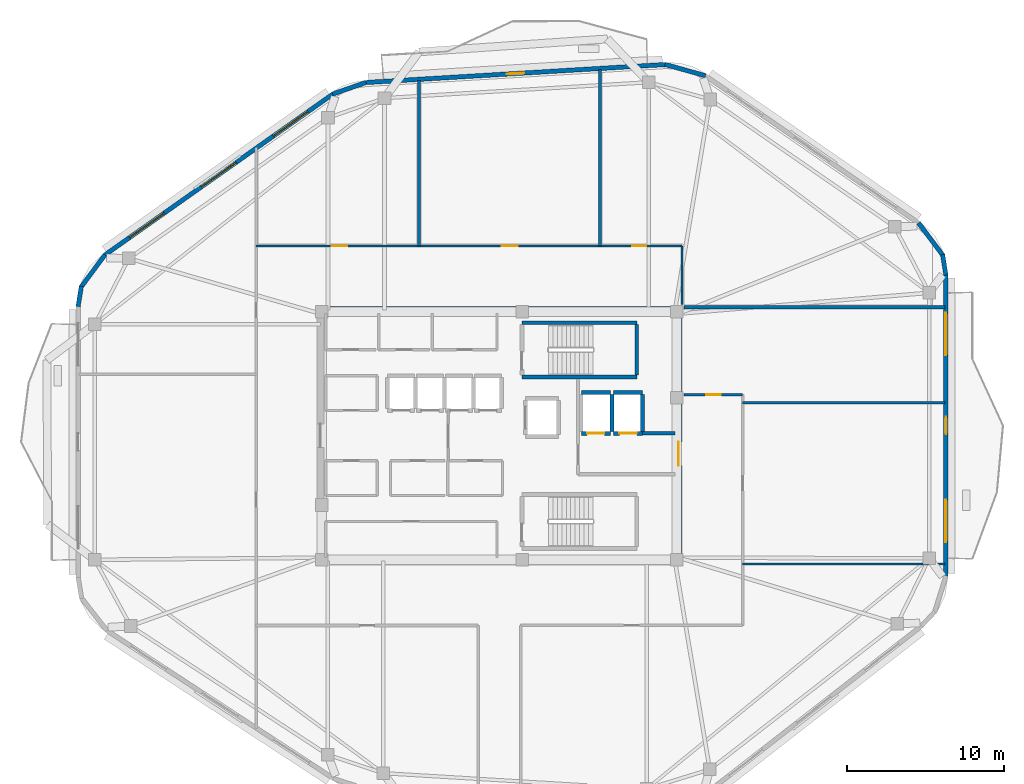
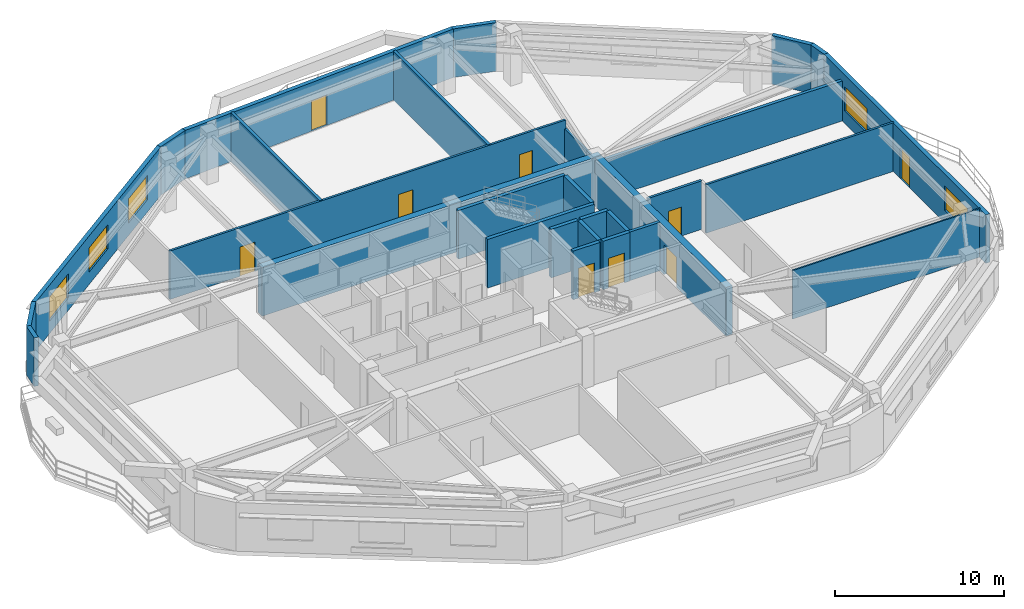
# One storey, part 5 of 9: 29 walls, 9 doors, 5 windows, 14 openings.
"""IFC4 building model written with IfcOpenShell, lengths in metres."""

from ifc_helpers import new_model, si_unit, direction, frame, frame_2d, origin, place, context, subcontext, project, spatial, rectangle, extrude, material, layer, layer_set, type_object, element, fill, save


model = new_model("IFC4")

# Units and contexts
model_context = context("Model", 3, precision=1e-05, world=origin(), true_north=direction((0.0, 1.0)))
body_context = subcontext(model_context, "Body", "Model", "MODEL_VIEW")
ifc_project = project(units=[si_unit("LENGTHUNIT", "METRE"), si_unit("AREAUNIT", "SQUARE_METRE"), si_unit("VOLUMEUNIT", "CUBIC_METRE"), si_unit("PLANEANGLEUNIT", "RADIAN"), si_unit("MASSUNIT", "GRAM", prefix="KILO")], contexts=[model_context])

# Site, building, storey
site_placement = place(None, origin())
site = spatial("IfcSite", under=ifc_project, at=site_placement, CompositionType="ELEMENT")
building_placement = place(site_placement, origin())
building = spatial("IfcBuilding", under=site, at=building_placement, Name="Zulverin Broadcast Headquarters", CompositionType="ELEMENT")
storey_placement = place(building_placement, frame((0.0, 0.0, 266.800048828125)))
storey = spatial("IfcBuildingStorey", under=building, at=storey_placement, Name="L68", CompositionType="ELEMENT", Elevation=266.800048828125)

# Walls
ifc_material_1 = material(Name="Acoustic drywall steel stud", Category="steel")
ifc_layer_1 = layer(ifc_material_1, 0.199951171875, Name="Acoustic drywall steel stud", Category="steel")
ifc_layer_set_1 = layer_set([ifc_layer_1], Name="Acoustic drywall steel stud")
wall_type_1 = type_object("IfcWallType", Name="WL-ACOU-200", PredefinedType="PARTITIONING", material=ifc_layer_set_1)
wall_1_placement = place(storey_placement, frame((43.39990234375, 37.25, 0.0), z_axis=(0.0, 0.0, 1.0), x_axis=(0.0, 1.0, 0.0)))
element("IfcWall", 1, at=wall_1_placement, inside=storey, type_object=wall_type_1, Name="L68 Room Partition Wall RP-03", PredefinedType="PARTITIONING", context=body_context, shape_type="SweptSolid", body=[
    extrude(rectangle(XDim=11.210693359375, YDim=0.199951171875, at=frame_2d((5.60546875, 0.0))), origin(), (0.0, 0.0, 1.0), 3.510009765625),
])
wall_2_placement = place(storey_placement, frame((31.89990234375, 37.25, 0.0), z_axis=(0.0, 0.0, 1.0), x_axis=(0.0, 1.0, 0.0)))
element("IfcWall", 2, at=wall_2_placement, inside=storey, type_object=wall_type_1, Name="L68 Room Partition Wall RP-06", PredefinedType="PARTITIONING", context=body_context, shape_type="SweptSolid", body=[
    extrude(rectangle(XDim=10.520263671875, YDim=0.199951171875, at=frame_2d((5.26025390625, 0.0))), origin(), (0.0, 0.0, 1.0), 3.510009765625),
])
ifc_material_2 = material(Name="Double-stud acoustic drywall", Category="gypsum")
ifc_layer_2 = layer(ifc_material_2, 0.219970703125, Name="Double-stud acoustic drywall", Category="gypsum")
ifc_layer_set_2 = layer_set([ifc_layer_2], Name="Double-stud acoustic drywall")
wall_type_2 = type_object("IfcWallType", Name="WL-ACOU-220", PredefinedType="PARTITIONING", material=ifc_layer_set_2)
wall_3_placement = place(storey_placement, frame((48.739990234375, 33.35009765625, 0.0), z_axis=(0.0, 0.0, 1.0), x_axis=(1.0, 0.0, 0.0)))
element("IfcWall", 3, at=wall_3_placement, inside=storey, type_object=wall_type_2, Name="L68 Room Partition Wall RP-14", PredefinedType="PARTITIONING", context=body_context, shape_type="SweptSolid", body=[
    extrude(rectangle(XDim=16.554931640625, YDim=0.219970703125, at=frame_2d((8.27734375, 0.0))), origin(), (0.0, 0.0, 1.0), 2.892822265625),
])
ifc_material_3 = material(Name="Concrete C50/60", Category="concrete")
ifc_layer_3 = layer(ifc_material_3, 0.449951171875, Name="Concrete C50/60", Category="concrete")
ifc_layer_set_3 = layer_set([ifc_layer_3], Name="Concrete C50/60")
wall_type_3 = type_object("IfcWallType", Name="WL-CORE-450", PredefinedType="SHEAR", material=ifc_layer_set_3)
wall_4_placement = place(storey_placement, frame((25.39990234375, 33.175048828125, 0.0), z_axis=(0.0, 0.0, 1.0), x_axis=(1.0, 0.0, 0.0)))
element("IfcWall", 4, at=wall_4_placement, inside=storey, type_object=wall_type_3, Name="L68 Core North Shear Wall", PredefinedType="SHEAR", context=body_context, shape_type="SweptSolid", body=[
    extrude(rectangle(XDim=23.2001953125, YDim=0.449951171875, at=frame_2d((11.60009765625, 0.0))), origin(), (0.0, 0.0, 1.0), 3.510009765625),
])

# Wall, opening, door
wall_5_placement = place(storey_placement, frame((48.375, 17.449951171875, 0.0), z_axis=(0.0, 0.0, 1.0), x_axis=(0.0, 1.0, 0.0)))
wall_5 = element("IfcWall", 5, at=wall_5_placement, inside=storey, type_object=wall_type_3, Name="L68 Core East Shear Wall", PredefinedType="SHEAR", context=body_context, shape_type="SweptSolid", body=[
    extrude(rectangle(XDim=15.5, YDim=0.449951171875, at=frame_2d((7.75, 0.0))), origin(), (0.0, 0.0, 1.0), 3.510009765625),
])
opening_1_placement = place(wall_5_placement, frame((5.85009765625, 0.0, 0.0)))
opening_1 = element("IfcOpeningElement", 6, at=opening_1_placement, cuts=wall_5, Name="Opening D-L68-CE1", PredefinedType="OPENING", context=body_context, shape_type="SweptSolid", body=[
    extrude(rectangle(XDim=1.5, YDim=2.14990234375, at=frame_2d((0.75, 1.074951171875))), frame((0.0, 0.23486328125, 0.0), z_axis=(0.0, -1.0, 0.0), x_axis=(1.0, 0.0, 0.0)), (0.0, 0.0, 1.0), 0.469970703125),
])
ifc_material_4 = material(Name="Fire-rated glazed steel frame", Category="steel")
door_type_1 = type_object("IfcDoorType", Name="DR-COR-1500", OperationType="DOUBLE_DOOR_SINGLE_SWING", PredefinedType="DOOR", material=ifc_material_4)
door_1_placement = place(opening_1_placement, origin())
door_1 = element("IfcDoor", 7, at=door_1_placement, inside=storey, type_object=door_type_1, Name="L68 Firefighting Lobby East Corridor Door", OperationType="DOUBLE_DOOR_SINGLE_SWING", OverallHeight=2.14990234375, OverallWidth=1.5, PredefinedType="DOOR", context=body_context, shape_type="SweptSolid", body=[
    extrude(rectangle(XDim=1.5, YDim=2.14990234375, at=frame_2d((0.75, 1.074951171875))), frame((0.0, 0.02490234375, 0.0), z_axis=(0.0, -1.0, 0.0), x_axis=(1.0, 0.0, 0.0)), (0.0, 0.0, 1.0), 0.050048828125),
])
fill(opening_1, door_1)

# Wall, openings, door, windows
ifc_material_5 = material(Name="Insulated pale-metal clad concrete spandrel C40/50", Category="concrete")
ifc_layer_4 = layer(ifc_material_5, 0.280029296875, Name="Insulated pale-metal clad concrete spandrel C40/50", Category="concrete")
ifc_layer_set_4 = layer_set([ifc_layer_4], Name="Insulated pale-metal clad concrete spandrel C40/50")
wall_type_4 = type_object("IfcWallType", Name="WL-EXT-280", PredefinedType="STANDARD", material=ifc_layer_set_4)
wall_6_placement = place(storey_placement, frame((65.360107421875, 16.2578125, 0.0), z_axis=(0.0, 0.0, 1.0), x_axis=(0.0, 1.0, 0.0)))
wall_6 = element("IfcWall", 8, at=wall_6_placement, inside=storey, type_object=wall_type_4, Name="L68 Pale-Metal Clad Spandrel Wall 3", PredefinedType="STANDARD", context=body_context, shape_type="SweptSolid", body=[
    extrude(rectangle(XDim=19.16796875, YDim=0.280029296875, at=frame_2d((9.583984375, 0.0))), origin(), (0.0, 0.0, 1.0), 3.510009765625),
])
opening_2_placement = place(wall_6_placement, frame((9.033935546875, 0.0, 0.0)))
opening_2 = element("IfcOpeningElement", 9, at=opening_2_placement, cuts=wall_6, Name="Opening D-L68-TR3", PredefinedType="OPENING", context=body_context, shape_type="SweptSolid", body=[
    extrude(rectangle(XDim=1.10009765625, YDim=2.199951171875, at=frame_2d((0.550048828125, 1.10009765625))), frame((0.0, 0.14990234375, 0.0), z_axis=(0.0, -1.0, 0.0), x_axis=(1.0, 0.0, 0.0)), (0.0, 0.0, 1.0), 0.300048828125),
])
opening_3_placement = place(wall_6_placement, frame((2.177978515625, 0.0, 0.89990234375)))
opening_3 = element("IfcOpeningElement", 10, at=opening_3_placement, cuts=wall_6, Name="Opening W-L68-E31", PredefinedType="OPENING", context=body_context, shape_type="SweptSolid", body=[
    extrude(rectangle(XDim=2.699951171875, YDim=1.75, at=frame_2d((1.35009765625, 0.875))), frame((0.0, 0.14990234375, 0.0), z_axis=(0.0, -1.0, 0.0), x_axis=(1.0, 0.0, 0.0)), (0.0, 0.0, 1.0), 0.300048828125),
])
opening_4_placement = place(wall_6_placement, frame((14.0400390625, 0.0, 0.89990234375)))
opening_4 = element("IfcOpeningElement", 11, at=opening_4_placement, cuts=wall_6, Name="Opening W-L68-E32", PredefinedType="OPENING", context=body_context, shape_type="SweptSolid", body=[
    extrude(rectangle(XDim=2.699951171875, YDim=1.75, at=frame_2d((1.35009765625, 0.875))), frame((0.0, 0.14990234375, 0.0), z_axis=(0.0, -1.0, 0.0), x_axis=(1.0, 0.0, 0.0)), (0.0, 0.0, 1.0), 0.300048828125),
])
ifc_material_6 = material(Name="Thermally broken aluminium glazed", Category="aluminium")
door_type_2 = type_object("IfcDoorType", Name="DR-TERR-1100", OperationType="SINGLE_SWING_RIGHT", PredefinedType="DOOR", material=ifc_material_6)
door_2_placement = place(opening_2_placement, origin())
door_2 = element("IfcDoor", 12, at=door_2_placement, inside=storey, type_object=door_type_2, Name="L68 Planted Terrace Glazed Access Door 3", OperationType="SINGLE_SWING_RIGHT", OverallHeight=2.199951171875, OverallWidth=1.10009765625, PredefinedType="DOOR", context=body_context, shape_type="SweptSolid", body=[
    extrude(rectangle(XDim=1.10009765625, YDim=2.199951171875, at=frame_2d((0.550048828125, 1.10009765625))), frame((0.0, 0.02490234375, 0.0), z_axis=(0.0, -1.0, 0.0), x_axis=(1.0, 0.0, 0.0)), (0.0, 0.0, 1.0), 0.050048828125),
])
fill(opening_2, door_2)
ifc_material_7 = material(Name="Pale anodized aluminium frame with solar-control low-E double glazing", Category="aluminium")
window_type = type_object("IfcWindowType", Name="WIN-TWR-2700", PartitioningType="SINGLE_PANEL", PredefinedType="WINDOW", material=ifc_material_7)
window_1_placement = place(opening_3_placement, origin())
window_1 = element("IfcWindow", 13, at=window_1_placement, inside=storey, type_object=window_type, Name="L68 Ribbon Glazing Window 3 1", OverallHeight=1.75, OverallWidth=2.699951171875, PartitioningType="SINGLE_PANEL", PredefinedType="WINDOW", context=body_context, shape_type="SweptSolid", body=[
    extrude(rectangle(XDim=2.699951171875, YDim=1.75, at=frame_2d((1.35009765625, 0.875))), frame((0.0, 0.030029296875, 0.0), z_axis=(0.0, -1.0, 0.0), x_axis=(1.0, 0.0, 0.0)), (0.0, 0.0, 1.0), 0.06005859375),
])
fill(opening_3, window_1)
window_2_placement = place(opening_4_placement, origin())
window_2 = element("IfcWindow", 14, at=window_2_placement, inside=storey, type_object=window_type, Name="L68 Ribbon Glazing Window 3 2", OverallHeight=1.75, OverallWidth=2.699951171875, PartitioningType="SINGLE_PANEL", PredefinedType="WINDOW", context=body_context, shape_type="SweptSolid", body=[
    extrude(rectangle(XDim=2.699951171875, YDim=1.75, at=frame_2d((1.35009765625, 0.875))), frame((0.0, 0.030029296875, 0.0), z_axis=(0.0, -1.0, 0.0), x_axis=(1.0, 0.0, 0.0)), (0.0, 0.0, 1.0), 0.06005859375),
])
fill(opening_4, window_2)

# Wall, opening, door
wall_7_placement = place(storey_placement, frame((47.56591796875, 48.775390625, 0.0), z_axis=(0.0, 0.0, 1.0), x_axis=(-0.998202767485, -0.059926913695, 0.0)))
wall_7 = element("IfcWall", 15, at=wall_7_placement, inside=storey, type_object=wall_type_4, Name="L68 Pale-Metal Clad Spandrel Wall 5", PredefinedType="STANDARD", context=body_context, shape_type="SweptSolid", body=[
    extrude(rectangle(XDim=19.111083984375, YDim=0.280029296875, at=frame_2d((9.5556640625, 0.0))), origin(), (0.0, 0.0, 1.0), 3.510009765625),
])
opening_5_placement = place(wall_7_placement, frame((9.00537109375, 0.0, 0.0)))
opening_5 = element("IfcOpeningElement", 16, at=opening_5_placement, cuts=wall_7, Name="Opening D-L68-TR5", PredefinedType="OPENING", context=body_context, shape_type="SweptSolid", body=[
    extrude(rectangle(XDim=1.10009765625, YDim=2.199951171875, at=frame_2d((0.550048828125, 1.10009765625))), frame((0.0, 0.14990234375, 0.0), z_axis=(0.0, -1.0, 0.0), x_axis=(1.0, 0.0, 0.0)), (0.0, 0.0, 1.0), 0.300048828125),
])
door_3_placement = place(opening_5_placement, origin())
door_3 = element("IfcDoor", 17, at=door_3_placement, inside=storey, type_object=door_type_2, Name="L68 Planted Terrace Glazed Access Door 5", OperationType="SINGLE_SWING_RIGHT", OverallHeight=2.199951171875, OverallWidth=1.10009765625, PredefinedType="DOOR", context=body_context, shape_type="SweptSolid", body=[
    extrude(rectangle(XDim=1.10009765625, YDim=2.199951171875, at=frame_2d((0.550048828125, 1.10009765625))), frame((0.0, 0.02490234375, 0.0), z_axis=(0.0, -1.0, 0.0), x_axis=(1.0, 0.0, 0.0)), (0.0, 0.0, 1.0), 0.050048828125),
])
fill(opening_5, door_3)

# Wall, openings, windows
wall_8_placement = place(storey_placement, frame((26.443115234375, 46.91259765625, 0.0), z_axis=(0.0, 0.0, 1.0), x_axis=(-0.817024179766, -0.576603407619, 0.0)))
wall_8 = element("IfcWall", 18, at=wall_8_placement, inside=storey, type_object=wall_type_4, Name="L68 Pale-Metal Clad Spandrel Wall 6", PredefinedType="STANDARD", context=body_context, shape_type="SweptSolid", body=[
    extrude(rectangle(XDim=17.77978515625, YDim=0.280029296875, at=frame_2d((8.889892578125, 0.0))), origin(), (0.0, 0.0, 1.0), 3.510009765625),
])
opening_6_placement = place(wall_8_placement, frame((1.94677734375, 0.0, 0.89990234375)))
opening_6 = element("IfcOpeningElement", 19, at=opening_6_placement, cuts=wall_8, Name="Opening W-L68-E61", PredefinedType="OPENING", context=body_context, shape_type="SweptSolid", body=[
    extrude(rectangle(XDim=2.699951171875, YDim=1.75, at=frame_2d((1.35009765625, 0.875))), frame((0.0, 0.14990234375, 0.0), z_axis=(0.0, -1.0, 0.0), x_axis=(1.0, 0.0, 0.0)), (0.0, 0.0, 1.0), 0.300048828125),
])
opening_7_placement = place(wall_8_placement, frame((7.5400390625, 0.0, 0.89990234375)))
opening_7 = element("IfcOpeningElement", 20, at=opening_7_placement, cuts=wall_8, Name="Opening W-L68-E62", PredefinedType="OPENING", context=body_context, shape_type="SweptSolid", body=[
    extrude(rectangle(XDim=2.699951171875, YDim=1.75, at=frame_2d((1.35009765625, 0.875))), frame((0.0, 0.14990234375, 0.0), z_axis=(0.0, -1.0, 0.0), x_axis=(1.0, 0.0, 0.0)), (0.0, 0.0, 1.0), 0.300048828125),
])
opening_8_placement = place(wall_8_placement, frame((13.13330078125, 0.0, 0.89990234375)))
opening_8 = element("IfcOpeningElement", 21, at=opening_8_placement, cuts=wall_8, Name="Opening W-L68-E63", PredefinedType="OPENING", context=body_context, shape_type="SweptSolid", body=[
    extrude(rectangle(XDim=2.699951171875, YDim=1.75, at=frame_2d((1.35009765625, 0.875))), frame((0.0, 0.14990234375, 0.0), z_axis=(0.0, -1.0, 0.0), x_axis=(1.0, 0.0, 0.0)), (0.0, 0.0, 1.0), 0.300048828125),
])
window_3_placement = place(opening_6_placement, origin())
window_3 = element("IfcWindow", 22, at=window_3_placement, inside=storey, type_object=window_type, Name="L68 Ribbon Glazing Window 6 1", OverallHeight=1.75, OverallWidth=2.699951171875, PartitioningType="SINGLE_PANEL", PredefinedType="WINDOW", context=body_context, shape_type="SweptSolid", body=[
    extrude(rectangle(XDim=2.699951171875, YDim=1.75, at=frame_2d((1.35009765625, 0.875))), frame((0.0, 0.030029296875, 0.0), z_axis=(0.0, -1.0, 0.0), x_axis=(1.0, 0.0, 0.0)), (0.0, 0.0, 1.0), 0.06005859375),
])
fill(opening_6, window_3)
window_4_placement = place(opening_7_placement, origin())
window_4 = element("IfcWindow", 23, at=window_4_placement, inside=storey, type_object=window_type, Name="L68 Ribbon Glazing Window 6 2", OverallHeight=1.75, OverallWidth=2.699951171875, PartitioningType="SINGLE_PANEL", PredefinedType="WINDOW", context=body_context, shape_type="SweptSolid", body=[
    extrude(rectangle(XDim=2.699951171875, YDim=1.75, at=frame_2d((1.35009765625, 0.875))), frame((0.0, 0.030029296875, 0.0), z_axis=(0.0, -1.0, 0.0), x_axis=(1.0, 0.0, 0.0)), (0.0, 0.0, 1.0), 0.06005859375),
])
fill(opening_7, window_4)
window_5_placement = place(opening_8_placement, origin())
window_5 = element("IfcWindow", 24, at=window_5_placement, inside=storey, type_object=window_type, Name="L68 Ribbon Glazing Window 6 3", OverallHeight=1.75, OverallWidth=2.699951171875, PartitioningType="SINGLE_PANEL", PredefinedType="WINDOW", context=body_context, shape_type="SweptSolid", body=[
    extrude(rectangle(XDim=2.699951171875, YDim=1.75, at=frame_2d((1.35009765625, 0.875))), frame((0.0, 0.030029296875, 0.0), z_axis=(0.0, -1.0, 0.0), x_axis=(1.0, 0.0, 0.0)), (0.0, 0.0, 1.0), 0.06005859375),
])
fill(opening_8, window_5)

# Walls
wall_9_placement = place(storey_placement, frame((65.36181640625, 35.4033203125, 0.0), z_axis=(0.0, 0.0, 1.0), x_axis=(-0.160271674114, 0.987072940809, 0.0)))
element("IfcWall", 25, at=wall_9_placement, inside=storey, type_object=wall_type_4, Name="L68 Wind-Shaped Corner Spandrel Wall 3-1", PredefinedType="STANDARD", context=body_context, shape_type="SweptSolid", body=[
    extrude(rectangle(XDim=1.314697265625, YDim=0.280029296875, at=frame_2d((0.6572265625, 0.0))), origin(), (0.0, 0.0, 1.0), 3.510009765625),
])
wall_10_placement = place(storey_placement, frame((65.17724609375, 36.63916015625, 0.0), z_axis=(0.0, 0.0, 1.0), x_axis=(-0.600436386467, 0.799672524104, 0.0)))
element("IfcWall", 26, at=wall_10_placement, inside=storey, type_object=wall_type_4, Name="L68 Wind-Shaped Corner Spandrel Wall 3-2", PredefinedType="STANDARD", context=body_context, shape_type="SweptSolid", body=[
    extrude(rectangle(XDim=2.595458984375, YDim=0.280029296875, at=frame_2d((1.2978515625, 0.0))), origin(), (0.0, 0.0, 1.0), 3.510009765625),
])
wall_11_placement = place(storey_placement, frame((50.096435546875, 48.060546875, 0.0), z_axis=(0.0, 0.0, 1.0), x_axis=(-0.963108887091, 0.269112005688, 0.0)))
element("IfcWall", 27, at=wall_11_placement, inside=storey, type_object=wall_type_4, Name="L68 Wind-Shaped Corner Spandrel Wall 4-1", PredefinedType="STANDARD", context=body_context, shape_type="SweptSolid", body=[
    extrude(rectangle(XDim=2.67529296875, YDim=0.280029296875, at=frame_2d((1.337646484375, 0.0))), origin(), (0.0, 0.0, 1.0), 3.510009765625),
])
wall_12_placement = place(storey_placement, frame((28.527099609375, 47.6376953125, 0.0), z_axis=(0.0, 0.0, 1.0), x_axis=(-0.943686979207, -0.330839667022, 0.0)))
element("IfcWall", 28, at=wall_12_placement, inside=storey, type_object=wall_type_4, Name="L68 Wind-Shaped Corner Spandrel Wall 5-1", PredefinedType="STANDARD", context=body_context, shape_type="SweptSolid", body=[
    extrude(rectangle(XDim=2.244873046875, YDim=0.280029296875, at=frame_2d((1.12255859375, 0.0))), origin(), (0.0, 0.0, 1.0), 3.510009765625),
])
wall_13_placement = place(storey_placement, frame((11.948486328125, 36.69189453125, 0.0), z_axis=(0.0, 0.0, 1.0), x_axis=(-0.595170751493, -0.803599263668, 0.0)))
element("IfcWall", 29, at=wall_13_placement, inside=storey, type_object=wall_type_4, Name="L68 Wind-Shaped Corner Spandrel Wall 6-1", PredefinedType="STANDARD", context=body_context, shape_type="SweptSolid", body=[
    extrude(rectangle(XDim=2.56982421875, YDim=0.280029296875, at=frame_2d((1.284912109375, 0.0))), origin(), (0.0, 0.0, 1.0), 3.510009765625),
])
wall_14_placement = place(storey_placement, frame((10.444580078125, 34.68798828125, 0.0), z_axis=(0.0, 0.0, 1.0), x_axis=(-0.158524605336, -0.987355027081, 0.0)))
element("IfcWall", 30, at=wall_14_placement, inside=storey, type_object=wall_type_4, Name="L68 Wind-Shaped Corner Spandrel Wall 6-2", PredefinedType="STANDARD", context=body_context, shape_type="SweptSolid", body=[
    extrude(rectangle(XDim=1.30126953125, YDim=0.280029296875, at=frame_2d((0.650634765625, 0.0))), origin(), (0.0, 0.0, 1.0), 3.510009765625),
])
ifc_material_8 = material(Name="Concrete C40/50", Category="concrete")
ifc_layer_5 = layer(ifc_material_8, 0.199951171875, Name="Concrete C40/50", Category="concrete")
ifc_layer_set_5 = layer_set([ifc_layer_5], Name="Concrete C40/50")
wall_type_5 = type_object("IfcWallType", Name="WL-FFL-200", PredefinedType="SOLIDWALL", material=ifc_layer_set_5)
wall_15_placement = place(storey_placement, frame((46.10009765625, 25.35009765625, 0.0), z_axis=(0.0, 0.0, 1.0), x_axis=(1.0, 0.0, 0.0)))
element("IfcWall", 31, at=wall_15_placement, inside=storey, type_object=wall_type_5, Name="L68 Firefighting Lift Lobby North Wall", PredefinedType="SOLIDWALL", context=body_context, shape_type="SweptSolid", body=[
    extrude(rectangle(XDim=2.0498046875, YDim=0.199951171875, at=frame_2d((1.02490234375, 0.0))), origin(), (0.0, 0.0, 1.0), 3.510009765625),
])
ifc_material_9 = material(Name="Fire-rated acoustic laminated glass screen", Category="glass")
ifc_layer_6 = layer(ifc_material_9, 0.10009765625, Name="Fire-rated acoustic laminated glass screen", Category="glass")
ifc_layer_set_6 = layer_set([ifc_layer_6], Name="Fire-rated acoustic laminated glass screen")
wall_type_6 = type_object("IfcWallType", Name="WL-GLAZ-100", PredefinedType="PARTITIONING", material=ifc_layer_set_6)
wall_16_placement = place(storey_placement, frame((52.449951171875, 17.050048828125, 0.0), z_axis=(0.0, 0.0, 1.0), x_axis=(1.0, 0.0, 0.0)))
element("IfcWall", 32, at=wall_16_placement, inside=storey, type_object=wall_type_6, Name="L68 Room Partition Wall RP-10", PredefinedType="PARTITIONING", context=body_context, shape_type="SweptSolid", body=[
    extrude(rectangle(XDim=12.844970703125, YDim=0.10009765625, at=frame_2d((6.42236328125, 0.0))), origin(), (0.0, 0.0, 1.0), 3.510009765625),
])
ifc_material_10 = material(Name="Fire-rated gypsum stud partition", Category="gypsum")
ifc_layer_7 = layer(ifc_material_10, 0.14990234375, Name="Fire-rated gypsum stud partition", Category="gypsum")
ifc_layer_set_7 = layer_set([ifc_layer_7], Name="Fire-rated gypsum stud partition")
wall_type_7 = type_object("IfcWallType", Name="WL-PART-150", PredefinedType="PARTITIONING", material=ifc_layer_set_7)
wall_17_placement = place(storey_placement, frame((48.60009765625, 33.5400390625, 0.0), z_axis=(0.0, 0.0, 1.0), x_axis=(0.0, 1.0, 0.0)))
element("IfcWall", 33, at=wall_17_placement, inside=storey, type_object=wall_type_7, Name="L68 Gallery Partition Wall CG-02", PredefinedType="PARTITIONING", context=body_context, shape_type="SweptSolid", body=[
    extrude(rectangle(XDim=3.7099609375, YDim=0.14990234375, at=frame_2d((1.85498046875, 0.0))), origin(), (0.0, 0.0, 1.0), 2.892822265625),
])
wall_18_placement = place(storey_placement, frame((52.449951171875, 27.300048828125, 0.0), z_axis=(0.0, 0.0, 1.0), x_axis=(1.0, 0.0, 0.0)))
element("IfcWall", 34, at=wall_18_placement, inside=storey, type_object=wall_type_7, Name="L68 Room Partition Wall RP-11", PredefinedType="PARTITIONING", context=body_context, shape_type="SweptSolid", body=[
    extrude(rectangle(XDim=12.844970703125, YDim=0.14990234375, at=frame_2d((6.42236328125, 0.0))), origin(), (0.0, 0.0, 1.0), 3.510009765625),
])

# Wall, openings, doors
wall_19_placement = place(storey_placement, frame((21.550048828125, 37.25, 0.0), z_axis=(0.0, 0.0, 1.0), x_axis=(1.0, 0.0, 0.0)))
wall_19 = element("IfcWall", 35, at=wall_19_placement, inside=storey, type_object=wall_type_7, Name="L68 Gallery Partition Wall CG-15", PredefinedType="PARTITIONING", context=body_context, shape_type="SweptSolid", body=[
    extrude(rectangle(XDim=27.050048828125, YDim=0.14990234375, at=frame_2d((13.52490234375, 0.0))), origin(), (0.0, 0.0, 1.0), 3.510009765625),
])
opening_9_placement = place(wall_19_placement, frame((4.794921875, 0.0, 0.0)))
opening_9 = element("IfcOpeningElement", 36, at=opening_9_placement, cuts=wall_19, Name="Opening D-L68-01", PredefinedType="OPENING", context=body_context, shape_type="SweptSolid", body=[
    extrude(rectangle(XDim=1.0, YDim=2.1201171875, at=frame_2d((0.5, 1.06005859375))), frame((0.0, 0.0849609375, 0.0), z_axis=(0.0, -1.0, 0.0), x_axis=(1.0, 0.0, 0.0)), (0.0, 0.0, 1.0), 0.169921875),
])
opening_10_placement = place(wall_19_placement, frame((15.60009765625, 0.0, 0.0)))
opening_10 = element("IfcOpeningElement", 37, at=opening_10_placement, cuts=wall_19, Name="Opening D-L68-02", PredefinedType="OPENING", context=body_context, shape_type="SweptSolid", body=[
    extrude(rectangle(XDim=1.0, YDim=2.1201171875, at=frame_2d((0.5, 1.06005859375))), frame((0.0, 0.0849609375, 0.0), z_axis=(0.0, -1.0, 0.0), x_axis=(1.0, 0.0, 0.0)), (0.0, 0.0, 1.0), 0.169921875),
])
opening_11_placement = place(wall_19_placement, frame((23.8798828125, 0.0, 0.0)))
opening_11 = element("IfcOpeningElement", 38, at=opening_11_placement, cuts=wall_19, Name="Opening D-L68-03", PredefinedType="OPENING", context=body_context, shape_type="SweptSolid", body=[
    extrude(rectangle(XDim=0.89990234375, YDim=2.10009765625, at=frame_2d((0.449951171875, 1.050048828125))), frame((0.0, 0.0849609375, 0.0), z_axis=(0.0, -1.0, 0.0), x_axis=(1.0, 0.0, 0.0)), (0.0, 0.0, 1.0), 0.169921875),
])
ifc_material_11 = material(Name="Hardwood veneer acoustic leaf", Category="wood")
door_type_3 = type_object("IfcDoorType", Name="DR-OFF-1000", OperationType="SINGLE_SWING_LEFT", PredefinedType="DOOR", material=ifc_material_11)
door_4_placement = place(opening_9_placement, origin())
door_4 = element("IfcDoor", 39, at=door_4_placement, inside=storey, type_object=door_type_3, Name="L68 Corporate Communications Office Door", OperationType="SINGLE_SWING_RIGHT", OverallHeight=2.1201171875, OverallWidth=1.0, PredefinedType="DOOR", context=body_context, shape_type="SweptSolid", body=[
    extrude(rectangle(XDim=1.0, YDim=2.1201171875, at=frame_2d((0.5, 1.06005859375))), frame((0.0, 0.02490234375, 0.0), z_axis=(0.0, -1.0, 0.0), x_axis=(1.0, 0.0, 0.0)), (0.0, 0.0, 1.0), 0.050048828125),
])
fill(opening_9, door_4)
door_5_placement = place(opening_10_placement, origin())
door_5 = element("IfcDoor", 40, at=door_5_placement, inside=storey, type_object=door_type_3, Name="L68 Press Office Door", OperationType="SINGLE_SWING_LEFT", OverallHeight=2.1201171875, OverallWidth=1.0, PredefinedType="DOOR", context=body_context, shape_type="SweptSolid", body=[
    extrude(rectangle(XDim=1.0, YDim=2.1201171875, at=frame_2d((0.5, 1.06005859375))), frame((0.0, 0.02490234375, 0.0), z_axis=(0.0, -1.0, 0.0), x_axis=(1.0, 0.0, 0.0)), (0.0, 0.0, 1.0), 0.050048828125),
])
fill(opening_10, door_5)
ifc_material_12 = material(Name="Fire-rated hardwood veneer timber leaf", Category="wood")
door_type_4 = type_object("IfcDoorType", Name="DR-ROOM-900", OperationType="SINGLE_SWING_RIGHT", PredefinedType="DOOR", material=ifc_material_12)
door_6_placement = place(opening_11_placement, origin())
door_6 = element("IfcDoor", 41, at=door_6_placement, inside=storey, type_object=door_type_4, Name="L68 Media Coaching Suite Door", OperationType="SINGLE_SWING_RIGHT", OverallHeight=2.10009765625, OverallWidth=0.89990234375, PredefinedType="DOOR", context=body_context, shape_type="SweptSolid", body=[
    extrude(rectangle(XDim=0.89990234375, YDim=2.10009765625, at=frame_2d((0.449951171875, 1.050048828125))), frame((0.0, 0.02490234375, 0.0), z_axis=(0.0, -1.0, 0.0), x_axis=(1.0, 0.0, 0.0)), (0.0, 0.0, 1.0), 0.050048828125),
])
fill(opening_11, door_6)

# Wall, opening, door
ifc_material_13 = material(Name="Fire-rated acoustic stud wall", Category="gypsum")
ifc_layer_8 = layer(ifc_material_13, 0.175048828125, Name="Fire-rated acoustic stud wall", Category="gypsum")
ifc_layer_set_8 = layer_set([ifc_layer_8], Name="Fire-rated acoustic stud wall")
wall_type_8 = type_object("IfcWallType", Name="WL-PART-175", PredefinedType="PARTITIONING", material=ifc_layer_set_8)
wall_20_placement = place(storey_placement, frame((48.739990234375, 27.800048828125, 0.0), z_axis=(0.0, 0.0, 1.0), x_axis=(1.0, 0.0, 0.0)))
wall_20 = element("IfcWall", 42, at=wall_20_placement, inside=storey, type_object=wall_type_8, Name="L68 Gallery Partition Wall CG-12", PredefinedType="PARTITIONING", context=body_context, shape_type="SweptSolid", body=[
    extrude(rectangle(XDim=3.7099609375, YDim=0.175048828125, at=frame_2d((1.85498046875, 0.0))), origin(), (0.0, 0.0, 1.0), 3.510009765625),
])
opening_12_placement = place(wall_20_placement, frame((1.405029296875, 0.0, 0.0)))
opening_12 = element("IfcOpeningElement", 43, at=opening_12_placement, cuts=wall_20, Name="Opening D-L68-09", PredefinedType="OPENING", context=body_context, shape_type="SweptSolid", body=[
    extrude(rectangle(XDim=0.89990234375, YDim=2.10009765625, at=frame_2d((0.449951171875, 1.050048828125))), frame((0.0, 0.097412109375, 0.0), z_axis=(0.0, -1.0, 0.0), x_axis=(1.0, 0.0, 0.0)), (0.0, 0.0, 1.0), 0.195068359375),
])
door_7_placement = place(opening_12_placement, origin())
door_7 = element("IfcDoor", 44, at=door_7_placement, inside=storey, type_object=door_type_4, Name="L68 Press Reception Door", OperationType="SINGLE_SWING_RIGHT", OverallHeight=2.10009765625, OverallWidth=0.89990234375, PredefinedType="DOOR", context=body_context, shape_type="SweptSolid", body=[
    extrude(rectangle(XDim=0.89990234375, YDim=2.10009765625, at=frame_2d((0.449951171875, 1.050048828125))), frame((0.0, 0.02490234375, 0.0), z_axis=(0.0, -1.0, 0.0), x_axis=(1.0, 0.0, 0.0)), (0.0, 0.0, 1.0), 0.050048828125),
])
fill(opening_12, door_7)

# Walls
ifc_layer_9 = layer(ifc_material_3, 0.25, Name="Concrete C50/60", Category="concrete")
ifc_layer_set_9 = layer_set([ifc_layer_9], Name="Concrete C50/60")
wall_type_9 = type_object("IfcWallType", Name="WL-SHAFT-250", PredefinedType="SHEAR", material=ifc_layer_set_9)
for number, where, z_axis, x_axis, name in (
    (45, (38.425048828125, 28.925048828125, 0.0), (0.0, 0.0, 1.0), (1.0, 0.0, 0.0), "L68 ST-1 Enclosure Wall S"),
    (46, (38.425048828125, 32.375, 0.0), (0.0, 0.0, 1.0), (1.0, 0.0, 0.0), "L68 ST-1 Enclosure Wall N"),
):
    element("IfcWall", number, at=place(storey_placement, frame(where, z_axis=z_axis, x_axis=x_axis)), inside=storey, type_object=wall_type_9, Name=name, PredefinedType="SHEAR", context=body_context, shape_type="SweptSolid", body=[
        extrude(rectangle(XDim=7.300048828125, YDim=0.25, at=frame_2d((3.64990234375, 0.0))), origin(), (0.0, 0.0, 1.0), 3.510009765625),
    ])
wall_21_placement = place(storey_placement, frame((45.72509765625, 29.050048828125, 0.0), z_axis=(0.0, 0.0, 1.0), x_axis=(0.0, 1.0, 0.0)))
element("IfcWall", 47, at=wall_21_placement, inside=storey, type_object=wall_type_9, Name="L68 ST-1 Enclosure Wall E", PredefinedType="SHEAR", context=body_context, shape_type="SweptSolid", body=[
    extrude(rectangle(XDim=3.199951171875, YDim=0.25, at=frame_2d((1.60009765625, 0.0))), origin(), (0.0, 0.0, 1.0), 3.510009765625),
])

# Wall, opening, door
wall_22_placement = place(storey_placement, frame((42.199951171875, 25.35009765625, 0.0), z_axis=(0.0, 0.0, 1.0), x_axis=(1.0, 0.0, 0.0)))
wall_22 = element("IfcWall", 48, at=wall_22_placement, inside=storey, type_object=wall_type_9, Name="L68 Lift FFL-1 Shaft Wall S", PredefinedType="SHEAR", context=body_context, shape_type="SweptSolid", body=[
    extrude(rectangle(XDim=1.85009765625, YDim=0.25, at=frame_2d((0.925048828125, 0.0))), origin(), (0.0, 0.0, 1.0), 3.510009765625),
])
opening_13_placement = place(wall_22_placement, frame((0.375, 0.0, 0.0)))
opening_13 = element("IfcOpeningElement", 49, at=opening_13_placement, cuts=wall_22, Name="Opening LD-FFL-1-L68", PredefinedType="OPENING", context=body_context, shape_type="SweptSolid", body=[
    extrude(rectangle(XDim=1.10009765625, YDim=2.14990234375, at=frame_2d((0.550048828125, 1.074951171875))), frame((0.0, 0.135009765625, 0.0), z_axis=(0.0, -1.0, 0.0), x_axis=(1.0, 0.0, 0.0)), (0.0, 0.0, 1.0), 0.27001953125),
])
ifc_material_14 = material(Name="Fire-rated stainless landing door", Category="steel")
door_type_5 = type_object("IfcDoorType", Name="LD-FFL-1100", OperationType="DOUBLE_DOOR_SLIDING", PredefinedType="DOOR", material=ifc_material_14)
door_8_placement = place(opening_13_placement, origin())
door_8 = element("IfcDoor", 50, at=door_8_placement, inside=storey, type_object=door_type_5, Name="L68 Lift FFL-1 Sliding Landing Door", OperationType="DOUBLE_DOOR_SLIDING", OverallHeight=2.14990234375, OverallWidth=1.10009765625, PredefinedType="DOOR", context=body_context, shape_type="SweptSolid", body=[
    extrude(rectangle(XDim=1.10009765625, YDim=2.14990234375, at=frame_2d((0.550048828125, 1.074951171875))), frame((0.0, 0.02490234375, 0.0), z_axis=(0.0, -1.0, 0.0), x_axis=(1.0, 0.0, 0.0)), (0.0, 0.0, 1.0), 0.050048828125),
])
fill(opening_13, door_8)

# Walls
wall_23_placement = place(storey_placement, frame((42.199951171875, 27.949951171875, 0.0), z_axis=(0.0, 0.0, 1.0), x_axis=(1.0, 0.0, 0.0)))
element("IfcWall", 51, at=wall_23_placement, inside=storey, type_object=wall_type_9, Name="L68 Lift FFL-1 Shaft Wall N", PredefinedType="SHEAR", context=body_context, shape_type="SweptSolid", body=[
    extrude(rectangle(XDim=1.85009765625, YDim=0.25, at=frame_2d((0.925048828125, 0.0))), origin(), (0.0, 0.0, 1.0), 3.510009765625),
])
wall_24_placement = place(storey_placement, frame((44.14990234375, 25.469970703125, 0.0), z_axis=(0.0, 0.0, 1.0), x_axis=(0.0, 1.0, 0.0)))
element("IfcWall", 52, at=wall_24_placement, inside=storey, type_object=wall_type_9, Name="L68 Lift FFL-1 Shaft Wall E", PredefinedType="SHEAR", context=body_context, shape_type="SweptSolid", body=[
    extrude(rectangle(XDim=2.360107421875, YDim=0.25, at=frame_2d((1.18017578125, 0.0))), origin(), (0.0, 0.0, 1.0), 3.510009765625),
])

# Wall, opening, door
wall_25_placement = place(storey_placement, frame((44.25, 25.35009765625, 0.0), z_axis=(0.0, 0.0, 1.0), x_axis=(1.0, 0.0, 0.0)))
wall_25 = element("IfcWall", 53, at=wall_25_placement, inside=storey, type_object=wall_type_9, Name="L68 Lift FFL-2 Shaft Wall S", PredefinedType="SHEAR", context=body_context, shape_type="SweptSolid", body=[
    extrude(rectangle(XDim=1.85009765625, YDim=0.25, at=frame_2d((0.925048828125, 0.0))), origin(), (0.0, 0.0, 1.0), 3.510009765625),
])
opening_14_placement = place(wall_25_placement, frame((0.375, 0.0, 0.0)))
opening_14 = element("IfcOpeningElement", 54, at=opening_14_placement, cuts=wall_25, Name="Opening LD-FFL-2-L68", PredefinedType="OPENING", context=body_context, shape_type="SweptSolid", body=[
    extrude(rectangle(XDim=1.10009765625, YDim=2.14990234375, at=frame_2d((0.550048828125, 1.074951171875))), frame((0.0, 0.135009765625, 0.0), z_axis=(0.0, -1.0, 0.0), x_axis=(1.0, 0.0, 0.0)), (0.0, 0.0, 1.0), 0.27001953125),
])
door_9_placement = place(opening_14_placement, origin())
door_9 = element("IfcDoor", 55, at=door_9_placement, inside=storey, type_object=door_type_5, Name="L68 Lift FFL-2 Sliding Landing Door", OperationType="DOUBLE_DOOR_SLIDING", OverallHeight=2.14990234375, OverallWidth=1.10009765625, PredefinedType="DOOR", context=body_context, shape_type="SweptSolid", body=[
    extrude(rectangle(XDim=1.10009765625, YDim=2.14990234375, at=frame_2d((0.550048828125, 1.074951171875))), frame((0.0, 0.02490234375, 0.0), z_axis=(0.0, -1.0, 0.0), x_axis=(1.0, 0.0, 0.0)), (0.0, 0.0, 1.0), 0.050048828125),
])
fill(opening_14, door_9)

# Walls
wall_26_placement = place(storey_placement, frame((44.25, 27.949951171875, 0.0), z_axis=(0.0, 0.0, 1.0), x_axis=(1.0, 0.0, 0.0)))
element("IfcWall", 56, at=wall_26_placement, inside=storey, type_object=wall_type_9, Name="L68 Lift FFL-2 Shaft Wall N", PredefinedType="SHEAR", context=body_context, shape_type="SweptSolid", body=[
    extrude(rectangle(XDim=1.85009765625, YDim=0.25, at=frame_2d((0.925048828125, 0.0))), origin(), (0.0, 0.0, 1.0), 3.510009765625),
])
wall_27_placement = place(storey_placement, frame((46.10009765625, 25.469970703125, 0.0), z_axis=(0.0, 0.0, 1.0), x_axis=(0.0, 1.0, 0.0)))
element("IfcWall", 57, at=wall_27_placement, inside=storey, type_object=wall_type_9, Name="L68 Lift FFL-2 Shaft Wall E", PredefinedType="SHEAR", context=body_context, shape_type="SweptSolid", body=[
    extrude(rectangle(XDim=2.360107421875, YDim=0.25, at=frame_2d((1.18017578125, 0.0))), origin(), (0.0, 0.0, 1.0), 3.510009765625),
])

save(model, "model.ifc")
